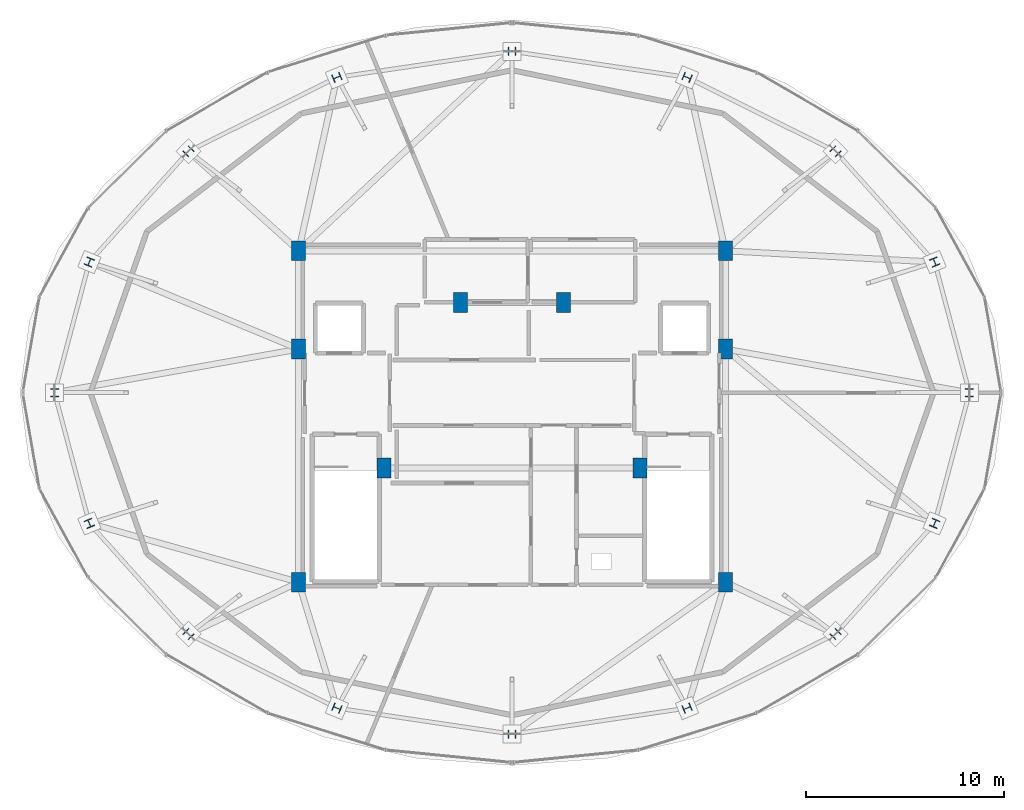
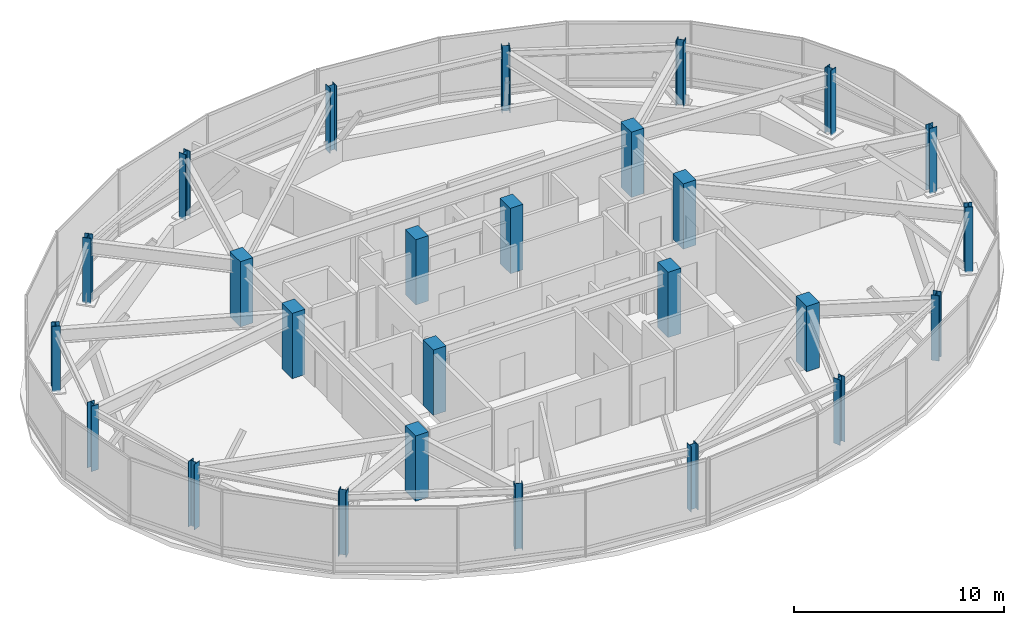
# One storey, part 1 of 28: 26 columns.
"""IFC4 building model written with IfcOpenShell, lengths in metres."""

import ifcopenshell
import ifcopenshell.guid

model = None  # the IFC model being written
_history = None  # IfcOwnerHistory: only IFC2X3 demands one
_inside = {}  # id of a spatial element -> (the spatial element, [elements in it])
_under = {}  # id of a project, library or spatial element -> (it, [spatial elements below it])
_declared = {}  # id of a project -> (the project, [libraries it declares])
_typed = {}  # id of a type object -> (the type object, [elements of that type])
_made_of = {}  # id of a material, layer set ... -> (it, [elements and type objects made of it])


def new_model(schema):
    """Start an empty IFC model of exactly this schema.

    Asked for "IFC4X3", IfcOpenShell would pick the latest addendum, in which some entities
    have other attributes; the version numbers below select the first issue.
    IFC2X3 requires an IfcOwnerHistory on every rooted entity: one is made here for all.
    """
    global model, _history
    if schema == "IFC4X3":
        model = ifcopenshell.file(schema_version=(4, 3, 0, 0))
    else:
        model = ifcopenshell.file(schema=schema)
    _inside.clear()
    _under.clear()
    _declared.clear()
    _typed.clear()
    _made_of.clear()
    _history = None
    if model.schema == "IFC2X3":
        org = make("IfcOrganization", Name="unknown")
        user = make(
            "IfcPersonAndOrganization",
            ThePerson=make("IfcPerson", FamilyName="unknown"),
            TheOrganization=org,
        )
        app = make(
            "IfcApplication",
            ApplicationDeveloper=org,
            Version="unknown",
            ApplicationFullName="unknown",
            ApplicationIdentifier="unknown",
        )
        _history = make(
            "IfcOwnerHistory",
            OwningUser=user,
            OwningApplication=app,
            ChangeAction="ADDED",
            CreationDate=0,
        )
    return model


def make(cls, **values):
    """One entity of the class cls with the attributes given. An attribute that is None is left unset."""
    return model.create_entity(
        cls, **{name: value for name, value in values.items() if value is not None}
    )


def rooted(cls, **values):
    """An entity with a GlobalId (a new one), such as an element, a storey or a relation."""
    return make(cls, GlobalId=ifcopenshell.guid.new(), OwnerHistory=_history, **values)


def si_unit(unit_type, name, prefix=None):
    """IfcSIUnit, for example si_unit("LENGTHUNIT", "METRE", prefix="MILLI")."""
    return make("IfcSIUnit", UnitType=unit_type, Prefix=prefix, Name=name)


def assignment(units):
    """IfcUnitAssignment: the units of a project."""
    return None if units is None else make("IfcUnitAssignment", Units=units)


def point(xyz):
    """IfcCartesianPoint."""
    return None if xyz is None else make("IfcCartesianPoint", Coordinates=xyz)


def direction(xyz):
    """IfcDirection."""
    return None if xyz is None else make("IfcDirection", DirectionRatios=xyz)


def frame(location, z_axis=None, x_axis=None):
    """IfcAxis2Placement3D, a coordinate frame: its origin and axes. An axis left out is left unset."""
    return make(
        "IfcAxis2Placement3D",
        Location=point(location),
        Axis=direction(z_axis),
        RefDirection=direction(x_axis),
    )


def frame_2d(location, x_axis=None):
    """IfcAxis2Placement2D, a coordinate frame in the plane: its origin and x axis."""
    return make(
        "IfcAxis2Placement2D", Location=point(location), RefDirection=direction(x_axis)
    )


def origin():
    """The frame at (0, 0, 0) with its axes left unset."""
    return frame((0.0, 0.0, 0.0))


def origin_2d():
    """The frame at (0, 0) in the plane with its x axis left unset."""
    return frame_2d((0.0, 0.0))


def place(relative_to, where):
    """IfcLocalPlacement: puts the frame where relative to a parent placement (None: the world)."""
    return make(
        "IfcLocalPlacement", PlacementRelTo=relative_to, RelativePlacement=where
    )


def context(
    kind, dimensions, precision=None, world=None, true_north=None, identifier=None
):
    """IfcGeometricRepresentationContext, for example the 3D "Model" context."""
    return make(
        "IfcGeometricRepresentationContext",
        ContextIdentifier=identifier,
        ContextType=kind,
        CoordinateSpaceDimension=dimensions,
        Precision=precision,
        WorldCoordinateSystem=world,
        TrueNorth=true_north,
    )


def subcontext(parent, identifier, kind, view, scale=None):
    """IfcGeometricRepresentationSubContext, for example "Body" below "Model"."""
    return make(
        "IfcGeometricRepresentationSubContext",
        ContextIdentifier=identifier,
        ContextType=kind,
        ParentContext=parent,
        TargetScale=scale,
        TargetView=view,
    )


def project(units=None, contexts=None):
    """IfcProject with its units and contexts."""
    return rooted(
        "IfcProject",
        Name="project",
        RepresentationContexts=contexts,
        UnitsInContext=assignment(units),
    )


def spatial(cls, under=None, at=None, **own):
    """A site, building, storey or space (cls), placed at a placement, below another one or the project."""
    s = rooted(cls, ObjectPlacement=at, **own)
    if under is not None:
        _under.setdefault(under.id(), (under, []))[1].append(s)
    return s


def profile(cls, at=None, kind="AREA", **sizes):
    """A parametric profile (cls). Its sizes go by their IFC names, for example OverallWidth=200.0."""
    return make(cls, ProfileType=kind, Position=at, **sizes)


def rectangle(**sizes):
    """IfcRectangleProfileDef."""
    return profile("IfcRectangleProfileDef", **sizes)


def i_section(**sizes):
    """IfcIShapeProfileDef."""
    return profile("IfcIShapeProfileDef", **sizes)


def extrude(swept, where, along, depth):
    """IfcExtrudedAreaSolid: the profile swept, set in the frame where, extruded along a direction by depth."""
    return make(
        "IfcExtrudedAreaSolid",
        SweptArea=swept,
        Position=where,
        ExtrudedDirection=direction(along),
        Depth=depth,
    )


def shape(context_of_items, identifier, shape_type, items):
    """IfcShapeRepresentation: the items that make up one representation, for example the "Body"."""
    return make(
        "IfcShapeRepresentation",
        ContextOfItems=context_of_items,
        RepresentationIdentifier=identifier,
        RepresentationType=shape_type,
        Items=items,
    )


def material(Name=None, Category=None):
    """IfcMaterial."""
    return make("IfcMaterial", Name=Name, Category=Category)


def material_profile(
    of_material, cross_section, Name=None, Category=None, Priority=None
):
    """IfcMaterialProfile: a cross section and its material."""
    return make(
        "IfcMaterialProfile",
        Name=Name,
        Material=of_material,
        Profile=cross_section,
        Priority=Priority,
        Category=Category,
    )


def profile_set(profiles, Name=None, composite=None):
    """IfcMaterialProfileSet."""
    return make(
        "IfcMaterialProfileSet",
        Name=Name,
        MaterialProfiles=profiles,
        CompositeProfile=composite,
    )


def made_of(thing, what):
    """Note that an element or type object is made of a material, layer set ...; save() writes the relation."""
    if what is not None:
        _made_of.setdefault(what.id(), (what, []))[1].append(thing)
    return thing


def type_object(cls, material=None, **own):
    """A type object (cls), such as IfcWallType, which elements share."""
    return made_of(rooted(cls, **own), material)


def element(
    cls,
    number,
    at=None,
    inside=None,
    cuts=None,
    type_object=None,
    material=None,
    context=None,
    identifier="Body",
    shape_type=None,
    held_by="IfcProductDefinitionShape",
    body=None,
    shapes=None,
    **own,
):
    """One element of the class cls, such as IfcWall. Its Tag is "e" and its number.

    at: its placement. inside: the storey or other place that contains it. cuts: it is an
    opening in that element (IfcRelVoidsElement). A single representation is given by context,
    identifier, shape_type and body (its items); several are given by shapes. held_by: the class
    of the entity that holds the representations. save() writes the other relations.
    """
    e = rooted(cls, Tag="e%d" % number, ObjectPlacement=at, **own)
    if body is not None:
        shapes = [shape(context, identifier, shape_type, body)]
    if shapes is not None:
        e.Representation = make(held_by, Representations=shapes)
    if inside is not None:
        _inside.setdefault(inside.id(), (inside, []))[1].append(e)
    if cuts is not None:
        rooted(
            "IfcRelVoidsElement", RelatingBuildingElement=cuts, RelatedOpeningElement=e
        )
    if type_object is not None:
        _typed.setdefault(type_object.id(), (type_object, []))[1].append(e)
    return made_of(e, material)


def aggregate(whole, parts):
    """IfcRelAggregates: a whole, such as a stair, and the parts it consists of."""
    return rooted("IfcRelAggregates", RelatingObject=whole, RelatedObjects=parts)


def save(model, path):
    """Write the relations noted so far, then the file.

    IfcRelAggregates (storeys below a building ...), IfcRelContainedInSpatialStructure (elements
    in a storey), IfcRelDefinesByType, IfcRelAssociatesMaterial and IfcRelDeclares: one each for
    every whole, place, type object, material and project.
    """
    for whole, parts in _under.values():
        aggregate(whole, parts)
    for where, things in _inside.values():
        rooted(
            "IfcRelContainedInSpatialStructure",
            RelatedElements=things,
            RelatingStructure=where,
        )
    for kind, things in _typed.values():
        rooted("IfcRelDefinesByType", RelatedObjects=things, RelatingType=kind)
    for what, things in _made_of.values():
        rooted("IfcRelAssociatesMaterial", RelatedObjects=things, RelatingMaterial=what)
    for by, libraries in _declared.values():
        rooted("IfcRelDeclares", RelatingContext=by, RelatedDefinitions=libraries)
    model.write(path)


model = new_model("IFC4")

# Units and contexts
model_context = context("Model", 3, precision=1e-05, world=origin(), true_north=direction((0.0, 1.0)))
body_context = subcontext(model_context, "Body", "Model", "MODEL_VIEW")
ifc_project = project(units=[si_unit("LENGTHUNIT", "METRE"), si_unit("AREAUNIT", "SQUARE_METRE"), si_unit("VOLUMEUNIT", "CUBIC_METRE"), si_unit("PLANEANGLEUNIT", "RADIAN"), si_unit("MASSUNIT", "GRAM", prefix="KILO")], contexts=[model_context])

# Site, building, storey
site_placement = place(None, origin())
site = spatial("IfcSite", under=ifc_project, at=site_placement, CompositionType="ELEMENT")
building_placement = place(site_placement, origin())
building = spatial("IfcBuilding", under=site, at=building_placement, Name="Vorneva Point Tower", CompositionType="ELEMENT")
storey_placement = place(building_placement, frame((0.0, 0.0, 295.39990234375)))
storey = spatial("IfcBuildingStorey", under=building, at=storey_placement, Name="C01", CompositionType="ELEMENT", Elevation=295.39990234375)

# Columns
ifc_material_1 = material(Name="Steel S355", Category="steel")
ifc_material_profile_1 = material_profile(ifc_material_1, i_section(OverallWidth=0.39990234375, OverallDepth=0.39990234375, WebThickness=0.01806640625, FlangeThickness=0.028076171875, at=origin_2d()), Name="40K4")
ifc_profile_set_1 = profile_set([ifc_material_profile_1], Name="Steel S355")
column_type_1 = type_object("IfcColumnType", Name="COL-STL-40K4", PredefinedType="COLUMN", material=ifc_profile_set_1)
for number, where, z_axis, x_axis, name in (
    (1, (61.050048828125, 26.0, 0.0), (0.0, 0.0, 1.0), (1.0, 0.0, 0.0), "C01 Perimeter Column P01"),
    (2, (59.29541015625, 32.582275390625, 0.0), (0.0, 0.0, 1.0), (0.923879532511, 0.382683432365, 0.0), "C01 Perimeter Column P02"),
    (3, (54.298828125, 38.162109375, 0.0), (0.0, 0.0, 1.0), (0.707106781187, 0.707106781187, 0.0), "C01 Perimeter Column P03"),
    (4, (46.82080078125, 41.890625, 0.0), (0.0, 0.0, 1.0), (0.382683432365, 0.923879532511, 0.0), "C01 Perimeter Column P04"),
    (5, (38.0, 43.199951171875, 0.0), (0.0, 0.0, 1.0), (0.0, 1.0, 0.0), "C01 Perimeter Column P05"),
    (6, (29.17919921875, 41.890625, 0.0), (0.0, 0.0, 1.0), (-0.382683432365, 0.923879532511, 0.0), "C01 Perimeter Column P06"),
    (7, (21.701171875, 38.162109375, 0.0), (0.0, 0.0, 1.0), (-0.707106781187, 0.707106781187, 0.0), "C01 Perimeter Column P07"),
    (8, (16.70458984375, 32.582275390625, 0.0), (0.0, 0.0, 1.0), (-0.923879532511, 0.382683432365, 0.0), "C01 Perimeter Column P08"),
    (9, (14.949951171875, 26.0, 0.0), (0.0, 0.0, 1.0), (-1.0, 0.0, 0.0), "C01 Perimeter Column P09"),
    (10, (16.70458984375, 19.417724609375, 0.0), (0.0, 0.0, 1.0), (-0.923879532511, -0.382683432365, 0.0), "C01 Perimeter Column P10"),
    (11, (21.701171875, 13.837890625, 0.0), (0.0, 0.0, 1.0), (-0.707106781187, -0.707106781187, 0.0), "C01 Perimeter Column P11"),
    (12, (29.17919921875, 10.109375, 0.0), (0.0, 0.0, 1.0), (-0.382683432365, -0.923879532511, 0.0), "C01 Perimeter Column P12"),
    (13, (38.0, 8.800048828125, 0.0), (0.0, 0.0, 1.0), (0.0, -1.0, 0.0), "C01 Perimeter Column P13"),
    (14, (46.82080078125, 10.109375, 0.0), (0.0, 0.0, 1.0), (0.382683432365, -0.923879532511, 0.0), "C01 Perimeter Column P14"),
    (15, (54.298828125, 13.837890625, 0.0), (0.0, 0.0, 1.0), (0.707106781187, -0.707106781187, 0.0), "C01 Perimeter Column P15"),
    (16, (59.29541015625, 19.417724609375, 0.0), (0.0, 0.0, 1.0), (0.923879532511, -0.382683432365, 0.0), "C01 Perimeter Column P16"),
):
    element("IfcColumn", number, at=place(storey_placement, frame(where, z_axis=z_axis, x_axis=x_axis)), inside=storey, type_object=column_type_1, Name=name, PredefinedType="COLUMN", context=body_context, shape_type="SweptSolid", body=[
        extrude(i_section(OverallWidth=0.39990234375, OverallDepth=0.39990234375, WebThickness=0.01806640625, FlangeThickness=0.028076171875, at=origin_2d()), origin(), (0.0, 0.0, 1.0), 3.800048828125),
    ])
ifc_material_2 = material(Name="Concrete B50 (C40/50)", Category="concrete")
ifc_material_profile_2 = material_profile(ifc_material_2, rectangle(XDim=0.699951171875, YDim=1.0, at=origin_2d()), Name="RC-PIL 1000x700")
ifc_profile_set_2 = profile_set([ifc_material_profile_2], Name="Concrete B50 (C40/50)")
column_type_2 = type_object("IfcColumnType", Name="PIL-RC1000x700", PredefinedType="PILASTER", material=ifc_profile_set_2)
for number, where, z_axis, x_axis, name in (
    (17, (27.25, 16.449951171875, 0.0), (0.0, 0.0, 1.0), (1.0, 0.0, 0.0), "C01 Core Pilaster CP1"),
    (18, (27.25, 28.199951171875, 0.0), (0.0, 0.0, 1.0), (1.0, 0.0, 0.0), "C01 Core Pilaster CP2"),
    (19, (27.25, 33.14990234375, 0.0), (0.0, 0.0, 1.0), (1.0, 0.0, 0.0), "C01 Core Pilaster CP3"),
    (20, (31.550048828125, 22.199951171875, 0.0), (0.0, 0.0, 1.0), (1.0, 0.0, 0.0), "C01 Core Pilaster CP4"),
    (21, (48.75, 33.14990234375, 0.0), (0.0, 0.0, 1.0), (1.0, 0.0, 0.0), "C01 Core Pilaster CP5"),
    (22, (48.75, 28.199951171875, 0.0), (0.0, 0.0, 1.0), (1.0, 0.0, 0.0), "C01 Core Pilaster CP6"),
    (23, (48.75, 16.449951171875, 0.0), (0.0, 0.0, 1.0), (1.0, 0.0, 0.0), "C01 Core Pilaster CP7"),
    (24, (44.449951171875, 22.199951171875, 0.0), (0.0, 0.0, 1.0), (1.0, 0.0, 0.0), "C01 Core Pilaster CP8"),
    (25, (35.39990234375, 30.550048828125, 0.0), (0.0, 0.0, 1.0), (1.0, 0.0, 0.0), "C01 Core Pilaster CP9"),
    (26, (40.60009765625, 30.550048828125, 0.0), (0.0, 0.0, 1.0), (1.0, 0.0, 0.0), "C01 Core Pilaster CP10"),
):
    element("IfcColumn", number, at=place(storey_placement, frame(where, z_axis=z_axis, x_axis=x_axis)), inside=storey, type_object=column_type_2, Name=name, PredefinedType="PILASTER", context=body_context, shape_type="SweptSolid", body=[
        extrude(rectangle(XDim=0.699951171875, YDim=1.0, at=origin_2d()), origin(), (0.0, 0.0, 1.0), 3.800048828125),
    ])

save(model, "model.ifc")
